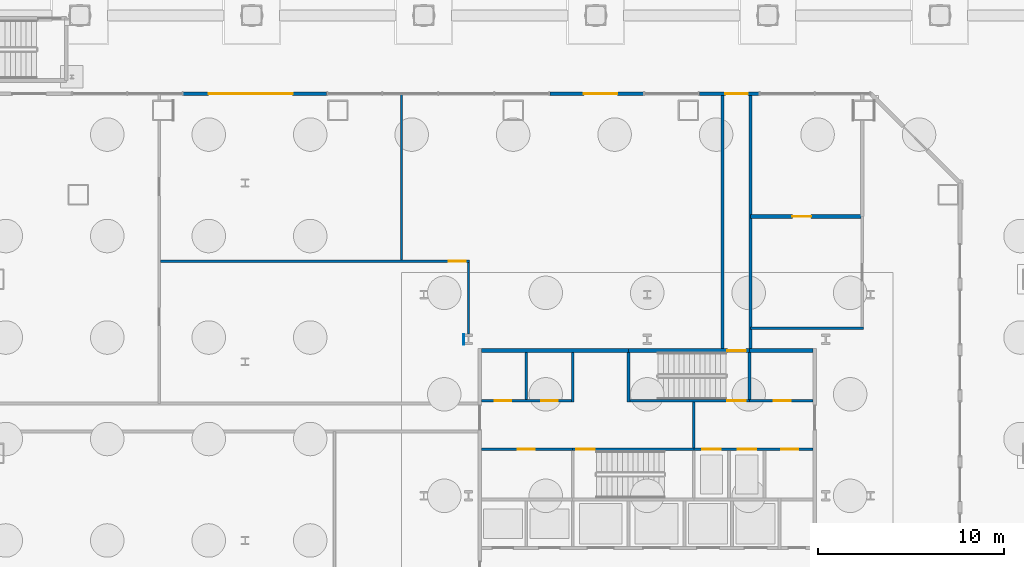
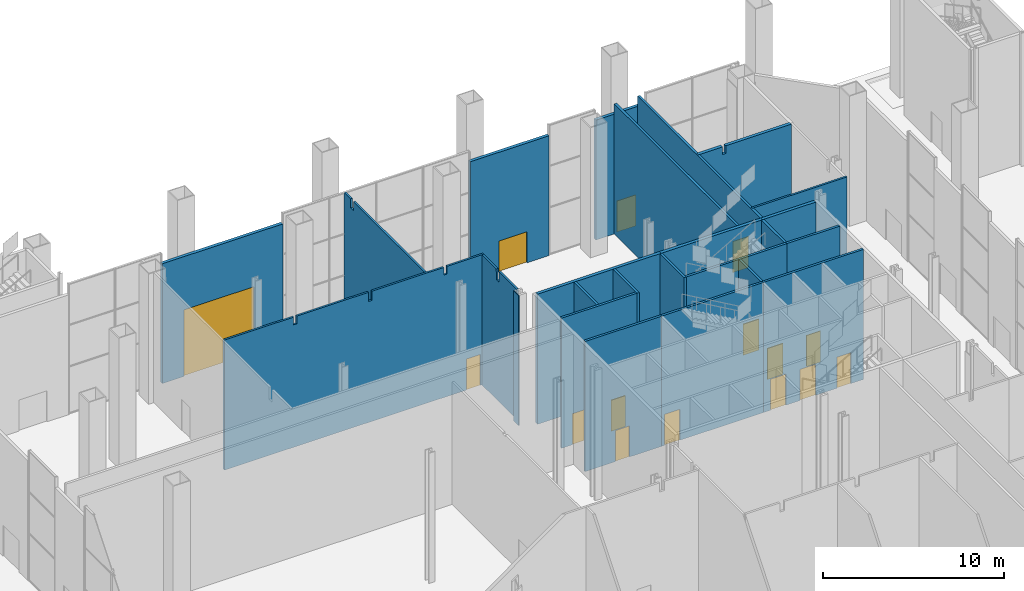
# One storey, part 26 of 38: 25 walls, 15 doors, 15 openings.
"""IFC4 building model written with IfcOpenShell, lengths in metres."""

from ifc_helpers import new_model, si_unit, direction, frame, frame_2d, origin, place, context, subcontext, project, spatial, polyline, rectangle, outline, extrude, material, layer, layer_set, type_object, element, fill, save


model = new_model("IFC4")

# Units and contexts
model_context = context("Model", 3, precision=1e-05, world=origin(), true_north=direction((0.0, 1.0)))
body_context = subcontext(model_context, "Body", "Model", "MODEL_VIEW")
ifc_project = project(units=[si_unit("LENGTHUNIT", "METRE"), si_unit("AREAUNIT", "SQUARE_METRE"), si_unit("VOLUMEUNIT", "CUBIC_METRE"), si_unit("PLANEANGLEUNIT", "RADIAN"), si_unit("MASSUNIT", "GRAM", prefix="KILO")], contexts=[model_context])

# Site, building, storey
site_placement = place(None, origin())
site = spatial("IfcSite", under=ifc_project, at=site_placement, CompositionType="ELEMENT")
building_placement = place(site_placement, origin())
building = spatial("IfcBuilding", under=site, at=building_placement, Name="Cairn Pilgrim Tower", CompositionType="ELEMENT")
storey_placement = place(building_placement, origin())
storey = spatial("IfcBuildingStorey", under=building, at=storey_placement, Name="L00", CompositionType="ELEMENT", Elevation=0.0)

# Walls
ifc_material_1 = material(Name="Concrete C32/40", Category="concrete")
ifc_layer_1 = layer(ifc_material_1, 0.199951171875)
ifc_layer_set_1 = layer_set([ifc_layer_1], Name="CORE OUTER WALL 200 EI 120")
wall_type_1 = type_object("IfcWallType", Name="CORE OUTER WALL 200 EI 120", PredefinedType="SOLIDWALL", material=ifc_layer_set_1)
wall_1_placement = place(storey_placement, frame((-1.699951171875, 10.199951171875, 0.0), z_axis=(0.0, 0.0, 1.0), x_axis=(1.0, 0.0, 0.0)))
element("IfcWall", 1, at=wall_1_placement, inside=storey, type_object=wall_type_1, Name="CW:L00:H10-1", PredefinedType="SOLIDWALL", context=body_context, shape_type="SweptSolid", body=[
    extrude(rectangle(XDim=7.89990234375, YDim=0.199951171875, at=frame_2d((3.949951171875, 0.0))), origin(), (0.0, 0.0, 1.0), 8.800048828125),
])
wall_2_placement = place(storey_placement, frame((12.699951171875, 10.199951171875, 0.0), z_axis=(0.0, 0.0, 1.0), x_axis=(1.0, 0.0, 0.0)))
element("IfcWall", 2, at=wall_2_placement, inside=storey, type_object=wall_type_1, Name="CW:L00:H10-3", PredefinedType="SOLIDWALL", context=body_context, shape_type="SweptSolid", body=[
    extrude(rectangle(XDim=3.400146484375, YDim=0.199951171875, at=frame_2d((1.7001953125, 0.0))), origin(), (0.0, 0.0, 1.0), 8.800048828125),
])
ifc_layer_2 = layer(ifc_material_1, 0.14990234375)
ifc_layer_set_2 = layer_set([ifc_layer_2], Name="CORE PARTITION 150 EI 60")
wall_type_2 = type_object("IfcWallType", Name="CORE PARTITION 150 EI 60", PredefinedType="PARTITIONING", material=ifc_layer_set_2)
wall_3_placement = place(storey_placement, frame((0.699951171875, 7.574951171875, 0.0), z_axis=(0.0, 0.0, 1.0), x_axis=(0.0, 1.0, 0.0)))
element("IfcWall", 3, at=wall_3_placement, inside=storey, type_object=wall_type_2, Name="CW:L00:V14", PredefinedType="PARTITIONING", context=body_context, shape_type="SweptSolid", body=[
    extrude(rectangle(XDim=2.525146484375, YDim=0.14990234375, at=frame_2d((1.2626953125, 0.0))), origin(), (0.0, 0.0, 1.0), 8.800048828125),
])

# Wall, opening, door
ifc_layer_3 = layer(ifc_material_1, 0.14990234375)
ifc_layer_set_3 = layer_set([ifc_layer_3], Name="CORE SHAFT WALL 150 EI 120")
wall_type_3 = type_object("IfcWallType", Name="CORE SHAFT WALL 150 EI 120", PredefinedType="SOLIDWALL", material=ifc_layer_set_3)
wall_4_placement = place(storey_placement, frame((-1.699951171875, 4.89990234375, 0.0), z_axis=(0.0, 0.0, 1.0), x_axis=(1.0, 0.0, 0.0)))
wall_4 = element("IfcWall", 4, at=wall_4_placement, inside=storey, type_object=wall_type_3, Name="CW:L00:H07-1", PredefinedType="SOLIDWALL", context=body_context, shape_type="SweptSolid", body=[
    extrude(rectangle(XDim=4.89990234375, YDim=0.14990234375, at=frame_2d((2.449951171875, 0.0))), origin(), (0.0, 0.0, 1.0), 8.800048828125),
])
opening_1_placement = place(wall_4_placement, frame((1.949951171875, 0.0, 0.0)))
opening_1 = element("IfcOpeningElement", 5, at=opening_1_placement, cuts=wall_4, Name="Opening RD-R3W1", PredefinedType="OPENING", context=body_context, shape_type="SweptSolid", body=[
    extrude(rectangle(XDim=0.89990234375, YDim=2.10009765625, at=frame_2d((0.449951171875, 1.050048828125))), frame((0.0, 0.0849609375, 0.0), z_axis=(0.0, -1.0, 0.0), x_axis=(1.0, 0.0, 0.0)), (0.0, 0.0, 1.0), 0.169921875),
])
ifc_material_2 = material(Name="Painted steel", Category="steel")
door_type_1 = type_object("IfcDoorType", Name="SERVICE ROOM DOOR 900x2100", OperationType="SINGLE_SWING_LEFT", PredefinedType="DOOR", material=ifc_material_2)
door_1_placement = place(opening_1_placement, origin())
door_1 = element("IfcDoor", 6, at=door_1_placement, inside=storey, type_object=door_type_1, Name="RD-R3W1", OperationType="SINGLE_SWING_LEFT", OverallHeight=2.10009765625, OverallWidth=0.89990234375, PredefinedType="DOOR", context=body_context, shape_type="SweptSolid", body=[
    extrude(rectangle(XDim=0.89990234375, YDim=2.10009765625, at=frame_2d((0.449951171875, 1.050048828125))), frame((0.0, 0.02490234375, 0.0), z_axis=(0.0, -1.0, 0.0), x_axis=(1.0, 0.0, 0.0)), (0.0, 0.0, 1.0), 0.050048828125),
])
fill(opening_1, door_1)

# Wall, openings, doors
wall_5_placement = place(storey_placement, frame((9.699951171875, 4.89990234375, 0.0), z_axis=(0.0, 0.0, 1.0), x_axis=(1.0, 0.0, 0.0)))
wall_5 = element("IfcWall", 7, at=wall_5_placement, inside=storey, type_object=wall_type_3, Name="CW:L00:H07-3", PredefinedType="SOLIDWALL", context=body_context, shape_type="SweptSolid", body=[
    extrude(rectangle(XDim=6.400146484375, YDim=0.14990234375, at=frame_2d((3.2001953125, 0.0))), origin(), (0.0, 0.0, 1.0), 8.800048828125),
])
opening_2_placement = place(wall_5_placement, frame((0.449951171875, 0.0, 0.0)))
opening_2 = element("IfcOpeningElement", 8, at=opening_2_placement, cuts=wall_5, Name="Opening LD-FF1", PredefinedType="OPENING", context=body_context, shape_type="SweptSolid", body=[
    extrude(rectangle(XDim=1.0, YDim=2.10009765625, at=frame_2d((0.5, 1.050048828125))), frame((0.0, 0.0849609375, 0.0), z_axis=(0.0, -1.0, 0.0), x_axis=(1.0, 0.0, 0.0)), (0.0, 0.0, 1.0), 0.169921875),
])
opening_3_placement = place(wall_5_placement, frame((2.35009765625, 0.0, 0.0)))
opening_3 = element("IfcOpeningElement", 9, at=opening_3_placement, cuts=wall_5, Name="Opening LD-FF2", PredefinedType="OPENING", context=body_context, shape_type="SweptSolid", body=[
    extrude(rectangle(XDim=1.0, YDim=2.10009765625, at=frame_2d((0.5, 1.050048828125))), frame((0.0, 0.0849609375, 0.0), z_axis=(0.0, -1.0, 0.0), x_axis=(1.0, 0.0, 0.0)), (0.0, 0.0, 1.0), 0.169921875),
])
opening_4_placement = place(wall_5_placement, frame((4.699951171875, 0.0, 0.0)))
opening_4 = element("IfcOpeningElement", 10, at=opening_4_placement, cuts=wall_5, Name="Opening RD-R3E", PredefinedType="OPENING", context=body_context, shape_type="SweptSolid", body=[
    extrude(rectangle(XDim=0.89990234375, YDim=2.10009765625, at=frame_2d((0.449951171875, 1.050048828125))), frame((0.0, 0.0849609375, 0.0), z_axis=(0.0, -1.0, 0.0), x_axis=(1.0, 0.0, 0.0)), (0.0, 0.0, 1.0), 0.169921875),
])
ifc_material_3 = material(Name="Stainless steel", Category="steel")
door_type_2 = type_object("IfcDoorType", Name="LIFT LANDING DOOR FIRE 1000x2100", OperationType="DOUBLE_DOOR_SLIDING", PredefinedType="DOOR", material=ifc_material_3)
door_2_placement = place(opening_2_placement, origin())
door_2 = element("IfcDoor", 11, at=door_2_placement, inside=storey, type_object=door_type_2, Name="LANDING DOOR FF1", OperationType="DOUBLE_DOOR_SLIDING", OverallHeight=2.10009765625, OverallWidth=1.0, PredefinedType="DOOR", context=body_context, shape_type="SweptSolid", body=[
    extrude(rectangle(XDim=1.0, YDim=2.10009765625, at=frame_2d((0.5, 1.050048828125))), frame((0.0, 0.02490234375, 0.0), z_axis=(0.0, -1.0, 0.0), x_axis=(1.0, 0.0, 0.0)), (0.0, 0.0, 1.0), 0.050048828125),
])
fill(opening_2, door_2)
door_3_placement = place(opening_3_placement, origin())
door_3 = element("IfcDoor", 12, at=door_3_placement, inside=storey, type_object=door_type_2, Name="LANDING DOOR FF2", OperationType="DOUBLE_DOOR_SLIDING", OverallHeight=2.10009765625, OverallWidth=1.0, PredefinedType="DOOR", context=body_context, shape_type="SweptSolid", body=[
    extrude(rectangle(XDim=1.0, YDim=2.10009765625, at=frame_2d((0.5, 1.050048828125))), frame((0.0, 0.02490234375, 0.0), z_axis=(0.0, -1.0, 0.0), x_axis=(1.0, 0.0, 0.0)), (0.0, 0.0, 1.0), 0.050048828125),
])
fill(opening_3, door_3)
door_4_placement = place(opening_4_placement, origin())
door_4 = element("IfcDoor", 13, at=door_4_placement, inside=storey, type_object=door_type_1, Name="RD-R3E", OperationType="SINGLE_SWING_LEFT", OverallHeight=2.10009765625, OverallWidth=0.89990234375, PredefinedType="DOOR", context=body_context, shape_type="SweptSolid", body=[
    extrude(rectangle(XDim=0.89990234375, YDim=2.10009765625, at=frame_2d((0.449951171875, 1.050048828125))), frame((0.0, 0.02490234375, 0.0), z_axis=(0.0, -1.0, 0.0), x_axis=(1.0, 0.0, 0.0)), (0.0, 0.0, 1.0), 0.050048828125),
])
fill(opening_4, door_4)

wall_6_placement = place(storey_placement, frame((-1.699951171875, 7.5, 0.0), z_axis=(0.0, 0.0, 1.0), x_axis=(1.0, 0.0, 0.0)))
wall_6 = element("IfcWall", 14, at=wall_6_placement, inside=storey, type_object=wall_type_3, Name="CW:L00:H08", PredefinedType="SOLIDWALL", context=body_context, shape_type="SweptSolid", body=[
    extrude(rectangle(XDim=4.824951171875, YDim=0.14990234375, at=frame_2d((2.41259765625, 0.0))), origin(), (0.0, 0.0, 1.0), 8.800048828125),
])
opening_5_placement = place(wall_6_placement, frame((0.699951171875, 0.0, 0.0)))
opening_5 = element("IfcOpeningElement", 15, at=opening_5_placement, cuts=wall_6, Name="Opening RD-R4W1", PredefinedType="OPENING", context=body_context, shape_type="SweptSolid", body=[
    extrude(rectangle(XDim=0.89990234375, YDim=2.10009765625, at=frame_2d((0.449951171875, 1.050048828125))), frame((0.0, 0.0849609375, 0.0), z_axis=(0.0, -1.0, 0.0), x_axis=(1.0, 0.0, 0.0)), (0.0, 0.0, 1.0), 0.169921875),
])
opening_6_placement = place(wall_6_placement, frame((3.199951171875, 0.0, 0.0)))
opening_6 = element("IfcOpeningElement", 16, at=opening_6_placement, cuts=wall_6, Name="Opening RD-R4W2", PredefinedType="OPENING", context=body_context, shape_type="SweptSolid", body=[
    extrude(rectangle(XDim=0.89990234375, YDim=2.10009765625, at=frame_2d((0.449951171875, 1.050048828125))), frame((0.0, 0.0849609375, 0.0), z_axis=(0.0, -1.0, 0.0), x_axis=(1.0, 0.0, 0.0)), (0.0, 0.0, 1.0), 0.169921875),
])
door_5_placement = place(opening_5_placement, origin())
door_5 = element("IfcDoor", 17, at=door_5_placement, inside=storey, type_object=door_type_1, Name="RD-R4W1", OperationType="SINGLE_SWING_RIGHT", OverallHeight=2.10009765625, OverallWidth=0.89990234375, PredefinedType="DOOR", context=body_context, shape_type="SweptSolid", body=[
    extrude(rectangle(XDim=0.89990234375, YDim=2.10009765625, at=frame_2d((0.449951171875, 1.050048828125))), frame((0.0, 0.02490234375, 0.0), z_axis=(0.0, -1.0, 0.0), x_axis=(1.0, 0.0, 0.0)), (0.0, 0.0, 1.0), 0.050048828125),
])
fill(opening_5, door_5)
door_6_placement = place(opening_6_placement, origin())
door_6 = element("IfcDoor", 18, at=door_6_placement, inside=storey, type_object=door_type_1, Name="RD-R4W2", OperationType="SINGLE_SWING_LEFT", OverallHeight=2.10009765625, OverallWidth=0.89990234375, PredefinedType="DOOR", context=body_context, shape_type="SweptSolid", body=[
    extrude(rectangle(XDim=0.89990234375, YDim=2.10009765625, at=frame_2d((0.449951171875, 1.050048828125))), frame((0.0, 0.02490234375, 0.0), z_axis=(0.0, -1.0, 0.0), x_axis=(1.0, 0.0, 0.0)), (0.0, 0.0, 1.0), 0.050048828125),
])
fill(opening_6, door_6)

# Wall, opening, door
wall_7_placement = place(storey_placement, frame((12.699951171875, 7.5, 0.0), z_axis=(0.0, 0.0, 1.0), x_axis=(1.0, 0.0, 0.0)))
wall_7 = element("IfcWall", 19, at=wall_7_placement, inside=storey, type_object=wall_type_3, Name="CW:L00:H09-2", PredefinedType="SOLIDWALL", context=body_context, shape_type="SweptSolid", body=[
    extrude(rectangle(XDim=3.400146484375, YDim=0.14990234375, at=frame_2d((1.7001953125, 0.0))), origin(), (0.0, 0.0, 1.0), 8.800048828125),
])
opening_7_placement = place(wall_7_placement, frame((1.300048828125, 0.0, 0.0)))
opening_7 = element("IfcOpeningElement", 20, at=opening_7_placement, cuts=wall_7, Name="Opening RD-R4E", PredefinedType="OPENING", context=body_context, shape_type="SweptSolid", body=[
    extrude(rectangle(XDim=0.89990234375, YDim=2.10009765625, at=frame_2d((0.449951171875, 1.050048828125))), frame((0.0, 0.0849609375, 0.0), z_axis=(0.0, -1.0, 0.0), x_axis=(1.0, 0.0, 0.0)), (0.0, 0.0, 1.0), 0.169921875),
])
door_7_placement = place(opening_7_placement, origin())
door_7 = element("IfcDoor", 21, at=door_7_placement, inside=storey, type_object=door_type_1, Name="RD-R4E", OperationType="SINGLE_SWING_RIGHT", OverallHeight=2.10009765625, OverallWidth=0.89990234375, PredefinedType="DOOR", context=body_context, shape_type="SweptSolid", body=[
    extrude(rectangle(XDim=0.89990234375, YDim=2.10009765625, at=frame_2d((0.449951171875, 1.050048828125))), frame((0.0, 0.02490234375, 0.0), z_axis=(0.0, -1.0, 0.0), x_axis=(1.0, 0.0, 0.0)), (0.0, 0.0, 1.0), 0.050048828125),
])
fill(opening_7, door_7)

# Walls
wall_8_placement = place(storey_placement, frame((3.199951171875, 7.425048828125, 0.0), z_axis=(0.0, 0.0, 1.0), x_axis=(0.0, 1.0, 0.0)))
element("IfcWall", 22, at=wall_8_placement, inside=storey, type_object=wall_type_3, Name="CW:L00:V18", PredefinedType="SOLIDWALL", context=body_context, shape_type="SweptSolid", body=[
    extrude(rectangle(XDim=2.675048828125, YDim=0.14990234375, at=frame_2d((1.33740234375, 0.0))), origin(), (0.0, 0.0, 1.0), 8.800048828125),
])
wall_9_placement = place(storey_placement, frame((9.699951171875, 4.97509765625, 0.0), z_axis=(0.0, 0.0, 1.0), x_axis=(0.0, 1.0, 0.0)))
element("IfcWall", 23, at=wall_9_placement, inside=storey, type_object=wall_type_3, Name="CW:L00:V24", PredefinedType="SOLIDWALL", context=body_context, shape_type="SweptSolid", body=[
    extrude(rectangle(XDim=2.449951171875, YDim=0.14990234375, at=frame_2d((1.22509765625, 0.0))), origin(), (0.0, 0.0, 1.0), 8.800048828125),
])
for number, where, z_axis, x_axis, name in (
    (24, (11.25, 10.300048828125, 0.0), (0.0, 0.0, 1.0), (0.0, 1.0, 0.0), "CW:L00:XPC1"),
    (25, (12.75, 10.300048828125, 0.0), (0.0, 0.0, 1.0), (0.0, 1.0, 0.0), "CW:L00:XPC2"),
):
    element("IfcWall", number, at=place(storey_placement, frame(where, z_axis=z_axis, x_axis=x_axis)), inside=storey, type_object=wall_type_3, Name=name, PredefinedType="SOLIDWALL", context=body_context, shape_type="SweptSolid", body=[
        extrude(rectangle(XDim=13.599853515625, YDim=0.14990234375, at=frame_2d((6.7998046875, 0.0))), origin(), (0.0, 0.0, 1.0), 8.800048828125),
    ])

# Wall, opening, door
ifc_material_4 = material(Name="Concrete C35/45 backup wall with bronze aluminium cladding", Category="concrete")
ifc_layer_4 = layer(ifc_material_4, 0.199951171875)
ifc_layer_set_4 = layer_set([ifc_layer_4], Name="ENTRANCE PORTAL WALL 200 BRONZE-CLAD")
wall_type_4 = type_object("IfcWallType", Name="ENTRANCE PORTAL WALL 200 BRONZE-CLAD", PredefinedType="SOLIDWALL", material=ifc_layer_set_4)
wall_10_placement = place(storey_placement, frame((10.0, 24.0, 0.0), z_axis=(0.0, 0.0, 1.0), x_axis=(1.0, 0.0, 0.0)))
wall_10 = element("IfcWall", 26, at=wall_10_placement, inside=storey, type_object=wall_type_4, Name="ENTRANCE PORTAL 4.2", PredefinedType="SOLIDWALL", context=body_context, shape_type="SweptSolid", body=[
    extrude(rectangle(XDim=3.199951171875, YDim=0.199951171875, at=frame_2d((1.60009765625, 0.0))), origin(), (0.0, 0.0, 1.0), 8.10009765625),
])
opening_8_placement = place(wall_10_placement, frame((1.39990234375, 0.0, 0.0)))
opening_8 = element("IfcOpeningElement", 27, at=opening_8_placement, cuts=wall_10, Name="Opening X42", PredefinedType="OPENING", context=body_context, shape_type="SweptSolid", body=[
    extrude(rectangle(XDim=1.199951171875, YDim=2.10009765625, at=frame_2d((0.60009765625, 1.050048828125))), frame((0.0, 0.10986328125, 0.0), z_axis=(0.0, -1.0, 0.0), x_axis=(1.0, 0.0, 0.0)), (0.0, 0.0, 1.0), 0.219970703125),
])
door_type_3 = type_object("IfcDoorType", Name="PAVILION EXIT DOOR 1200x2100 FD60S", OperationType="SINGLE_SWING_LEFT", PredefinedType="DOOR", material=ifc_material_2)
door_8_placement = place(opening_8_placement, origin())
door_8 = element("IfcDoor", 28, at=door_8_placement, inside=storey, type_object=door_type_3, Name="PAVILION EXIT DOOR", OperationType="SINGLE_SWING_LEFT", OverallHeight=2.10009765625, OverallWidth=1.199951171875, PredefinedType="DOOR", context=body_context, shape_type="SweptSolid", body=[
    extrude(rectangle(XDim=1.199951171875, YDim=2.10009765625, at=frame_2d((0.60009765625, 1.050048828125))), frame((0.0, 0.02490234375, 0.0), z_axis=(0.0, -1.0, 0.0), x_axis=(1.0, 0.0, 0.0)), (0.0, 0.0, 1.0), 0.050048828125),
])
fill(opening_8, door_8)

wall_11_placement = place(storey_placement, frame((1.97509765625, 24.0, 0.0), z_axis=(0.0, 0.0, 1.0), x_axis=(1.0, 0.0, 0.0)))
wall_11 = element("IfcWall", 29, at=wall_11_placement, inside=storey, type_object=wall_type_4, Name="ENTRANCE PORTAL 4.4", PredefinedType="SOLIDWALL", context=body_context, shape_type="SweptSolid", body=[
    extrude(rectangle(XDim=5.02490234375, YDim=0.199951171875, at=frame_2d((2.512451171875, 0.0))), origin(), (0.0, 0.0, 1.0), 8.10009765625),
])
opening_9_placement = place(wall_11_placement, frame((1.824951171875, 0.0, 0.0)))
opening_9 = element("IfcOpeningElement", 30, at=opening_9_placement, cuts=wall_11, Name="Opening X44", PredefinedType="OPENING", context=body_context, shape_type="SweptSolid", body=[
    extrude(rectangle(XDim=1.800048828125, YDim=2.10009765625, at=frame_2d((0.89990234375, 1.050048828125))), frame((0.0, 0.10986328125, 0.0), z_axis=(0.0, -1.0, 0.0), x_axis=(1.0, 0.0, 0.0)), (0.0, 0.0, 1.0), 0.219970703125),
])
ifc_material_5 = material(Name="Bronze anodised aluminium frame with tinted toughened glass", Category="aluminium")
door_type_4 = type_object("IfcDoorType", Name="PAVILION EXIT DOOR PAIR 1800x2100", OperationType="DOUBLE_DOOR_SINGLE_SWING", PredefinedType="DOOR", material=ifc_material_5)
door_9_placement = place(opening_9_placement, origin())
door_9 = element("IfcDoor", 31, at=door_9_placement, inside=storey, type_object=door_type_4, Name="PAVILION EXIT DOOR", OperationType="SINGLE_SWING_LEFT", OverallHeight=2.10009765625, OverallWidth=1.800048828125, PredefinedType="DOOR", context=body_context, shape_type="SweptSolid", body=[
    extrude(rectangle(XDim=1.800048828125, YDim=2.10009765625, at=frame_2d((0.89990234375, 1.050048828125))), frame((0.0, 0.02490234375, 0.0), z_axis=(0.0, -1.0, 0.0), x_axis=(1.0, 0.0, 0.0)), (0.0, 0.0, 1.0), 0.050048828125),
])
fill(opening_9, door_9)

wall_12_placement = place(storey_placement, frame((-17.72509765625, 24.0, 0.0), z_axis=(0.0, 0.0, 1.0), x_axis=(1.0, 0.0, 0.0)))
wall_12 = element("IfcWall", 32, at=wall_12_placement, inside=storey, type_object=wall_type_4, Name="ENTRANCE PORTAL 4.6", PredefinedType="SOLIDWALL", context=body_context, shape_type="SweptSolid", body=[
    extrude(rectangle(XDim=7.7001953125, YDim=0.199951171875, at=frame_2d((3.85009765625, 0.0))), origin(), (0.0, 0.0, 1.0), 8.10009765625),
])
opening_10_placement = place(wall_12_placement, frame((1.375, 0.0, 0.0)))
opening_10 = element("IfcOpeningElement", 33, at=opening_10_placement, cuts=wall_12, Name="Opening RS1", PredefinedType="OPENING", context=body_context, shape_type="SweptSolid", body=[
    extrude(rectangle(XDim=4.5, YDim=4.5, at=frame_2d((2.25, 2.25))), frame((0.0, 0.10986328125, 0.0), z_axis=(0.0, -1.0, 0.0), x_axis=(1.0, 0.0, 0.0)), (0.0, 0.0, 1.0), 0.219970703125),
])
ifc_material_6 = material(Name="Galvanised steel slats", Category="steel")
door_type_5 = type_object("IfcDoorType", Name="ROLLER SHUTTER LOADING BAY 4500x4500", OperationType="ROLLINGUP", PredefinedType="DOOR", material=ifc_material_6)
door_10_placement = place(opening_10_placement, origin())
door_10 = element("IfcDoor", 34, at=door_10_placement, inside=storey, type_object=door_type_5, Name="ROLLER SHUTTER LOADING BAY", OperationType="SINGLE_SWING_LEFT", OverallHeight=4.5, OverallWidth=4.5, PredefinedType="DOOR", context=body_context, shape_type="SweptSolid", body=[
    extrude(rectangle(XDim=4.5, YDim=4.5, at=frame_2d((2.25, 2.25))), frame((0.0, 0.02490234375, 0.0), z_axis=(0.0, -1.0, 0.0), x_axis=(1.0, 0.0, 0.0)), (0.0, 0.0, 1.0), 0.050048828125),
])
fill(opening_10, door_10)

# Walls
ifc_material_7 = material(Name="Gypsum partition")
ifc_layer_5 = layer(ifc_material_7, 0.125)
ifc_layer_set_5 = layer_set([ifc_layer_5], Name="PARTITION 125 DRYWALL EI 60")
wall_type_5 = type_object("IfcWallType", Name="PARTITION 125 DRYWALL EI 60", PredefinedType="PARTITIONING", material=ifc_layer_set_5)
wall_13_placement = place(storey_placement, frame((-2.39990234375, 11.08447265625, 0.0), z_axis=(0.0, 0.0, 1.0), x_axis=(0.0, 1.0, 0.0)))
element("IfcWall", 35, at=wall_13_placement, inside=storey, type_object=wall_type_5, Name="PARTITION W019", PredefinedType="PARTITIONING", context=body_context, shape_type="SweptSolid", body=[
    extrude(outline(polyline([(0.0, 0.0), (3.85302734375, 0.0), (3.85302734375, 8.800048828125), (2.265380859375, 8.800048828125), (2.263427734375, 8.080078125), (1.965576171875, 8.080078125), (1.96337890625, 8.800048828125), (0.0, 8.800048828125), (0.0, 0.0)])), frame((0.0, 0.0625, 0.0), z_axis=(0.0, -1.0, 0.0), x_axis=(1.0, 0.0, 0.0)), (0.0, 0.0, 1.0), 0.125),
])
wall_14_placement = place(storey_placement, frame((12.75, 11.39990234375, 0.0), z_axis=(0.0, 0.0, 1.0), x_axis=(1.0, 0.0, 0.0)))
element("IfcWall", 36, at=wall_14_placement, inside=storey, type_object=wall_type_5, Name="PARTITION W020", PredefinedType="PARTITIONING", context=body_context, shape_type="SweptSolid", body=[
    extrude(rectangle(XDim=6.0625, YDim=0.125, at=frame_2d((3.03125, 0.0))), origin(), (0.0, 0.0, 1.0), 8.800048828125),
])

# Wall, opening, door
wall_15_placement = place(storey_placement, frame((-18.9375, 15.0, 0.0), z_axis=(0.0, 0.0, 1.0), x_axis=(1.0, 0.0, 0.0)))
wall_15 = element("IfcWall", 37, at=wall_15_placement, inside=storey, type_object=wall_type_5, Name="PARTITION W022", PredefinedType="PARTITIONING", context=body_context, shape_type="SweptSolid", body=[
    extrude(outline(polyline([(0.0, 0.0), (16.60009765625, 0.0), (16.60009765625, 8.800048828125), (14.237548828125, 8.800048828125), (14.235595703125, 8.280029296875), (14.03759765625, 8.280029296875), (14.035400390625, 8.800048828125), (9.447509765625, 8.800048828125), (9.445556640625, 8.179931640625), (9.2275390625, 8.179931640625), (9.2255859375, 8.800048828125), (4.637451171875, 8.800048828125), (4.635498046875, 8.280029296875), (4.4375, 8.280029296875), (4.435546875, 8.800048828125), (0.0, 8.800048828125), (0.0, 0.0)])), frame((0.0, 0.0625, 0.0), z_axis=(0.0, -1.0, 0.0), x_axis=(1.0, 0.0, 0.0)), (0.0, 0.0, 1.0), 0.125),
])
opening_11_placement = place(wall_15_placement, frame((15.487548828125, 0.0, 0.0)))
opening_11 = element("IfcOpeningElement", 38, at=opening_11_placement, cuts=wall_15, Name="Opening 0016", PredefinedType="OPENING", context=body_context, shape_type="SweptSolid", body=[
    extrude(rectangle(XDim=0.89990234375, YDim=2.10009765625, at=frame_2d((0.449951171875, 1.050048828125))), frame((0.0, 0.072509765625, 0.0), z_axis=(0.0, -1.0, 0.0), x_axis=(1.0, 0.0, 0.0)), (0.0, 0.0, 1.0), 0.14501953125),
])
ifc_material_8 = material(Name="Timber door leaf", Category="wood")
door_type_6 = type_object("IfcDoorType", Name="ROOM DOOR 900x2100 FD30S", OperationType="NOTDEFINED", PredefinedType="DOOR", material=ifc_material_8)
door_11_placement = place(opening_11_placement, frame((0.89990234375, 0.0, 0.0), z_axis=(0.0, 0.0, 1.0), x_axis=(-1.0, 0.0, 0.0)))
door_11 = element("IfcDoor", 39, at=door_11_placement, inside=storey, type_object=door_type_6, Name="DOOR 0016", OperationType="SINGLE_SWING_RIGHT", OverallHeight=2.10009765625, OverallWidth=0.89990234375, PredefinedType="DOOR", context=body_context, shape_type="SweptSolid", body=[
    extrude(rectangle(XDim=0.89990234375, YDim=2.10009765625, at=frame_2d((0.449951171875, 1.050048828125))), frame((0.0, 0.02490234375, 0.0), z_axis=(0.0, -1.0, 0.0), x_axis=(1.0, 0.0, 0.0)), (0.0, 0.0, 1.0), 0.050048828125),
])
fill(opening_11, door_11)

# Walls
wall_16_placement = place(storey_placement, frame((-6.0, 15.0625, 0.0), z_axis=(0.0, 0.0, 1.0), x_axis=(0.0, 1.0, 0.0)))
element("IfcWall", 40, at=wall_16_placement, inside=storey, type_object=wall_type_5, Name="PARTITION W023", PredefinedType="PARTITIONING", context=body_context, shape_type="SweptSolid", body=[
    extrude(outline(polyline([(0.0, 0.0), (8.8935546875, 0.0), (8.8935546875, 8.800048828125), (8.1875, 8.800048828125), (8.185546875, 8.179931640625), (7.887451171875, 8.179931640625), (7.885498046875, 8.800048828125), (0.0, 8.800048828125), (0.0, 0.0)])), frame((0.0, 0.0625, 0.0), z_axis=(0.0, -1.0, 0.0), x_axis=(1.0, 0.0, 0.0)), (0.0, 0.0, 1.0), 0.125),
])
ifc_layer_6 = layer(ifc_material_7, 0.050048828125)
ifc_layer_set_6 = layer_set([ifc_layer_6], Name="PARTITION 50 DRYWALL EI 60")
wall_type_6 = type_object("IfcWallType", Name="PARTITION 50 DRYWALL EI 60", PredefinedType="PARTITIONING", material=ifc_layer_set_6)
wall_17_placement = place(storey_placement, frame((-2.652099609375, 10.515380859375, 0.0), z_axis=(0.0, 0.0, 1.0), x_axis=(0.0, 1.0, 0.0)))
element("IfcWall", 41, at=wall_17_placement, inside=storey, type_object=wall_type_6, Name="COLUMN CASING WC05", PredefinedType="PARTITIONING", context=body_context, shape_type="SweptSolid", body=[
    extrude(rectangle(XDim=0.569091796875, YDim=0.050048828125, at=frame_2d((0.28466796875, 0.0))), origin(), (0.0, 0.0, 1.0), 8.800048828125),
])

# Wall, opening, door
ifc_layer_7 = layer(ifc_material_7, 0.199951171875)
ifc_layer_set_7 = layer_set([ifc_layer_7], Name="SHAFT WALL 200 GYPSUM EI 120")
wall_type_7 = type_object("IfcWallType", Name="SHAFT WALL 200 GYPSUM EI 120", PredefinedType="PARTITIONING", material=ifc_layer_set_7)
wall_18_placement = place(storey_placement, frame((12.75, 17.39990234375, 0.0), z_axis=(0.0, 0.0, 1.0), x_axis=(1.0, 0.0, 0.0)))
wall_18 = element("IfcWall", 42, at=wall_18_placement, inside=storey, type_object=wall_type_7, Name="PARTITION W024", PredefinedType="PARTITIONING", context=body_context, shape_type="SweptSolid", body=[
    extrude(outline(polyline([(0.0, 0.0), (5.9375, 0.0), (5.9375, 8.800048828125), (1.75, 8.800048828125), (1.748046875, 8.280029296875), (1.550048828125, 8.280029296875), (1.548095703125, 8.800048828125), (0.0, 8.800048828125), (0.0, 0.0)])), frame((0.0, 0.10009765625, 0.0), z_axis=(0.0, -1.0, 0.0), x_axis=(1.0, 0.0, 0.0)), (0.0, 0.0, 1.0), 0.199951171875),
])
opening_12_placement = place(wall_18_placement, frame((2.25, 0.0, 0.0)))
opening_12 = element("IfcOpeningElement", 43, at=opening_12_placement, cuts=wall_18, Name="Opening 0001", PredefinedType="OPENING", context=body_context, shape_type="SweptSolid", body=[
    extrude(rectangle(XDim=1.0, YDim=2.10009765625, at=frame_2d((0.5, 1.050048828125))), frame((0.0, 0.10986328125, 0.0), z_axis=(0.0, -1.0, 0.0), x_axis=(1.0, 0.0, 0.0)), (0.0, 0.0, 1.0), 0.219970703125),
])
ifc_material_9 = material(Name="Steel-faced fire door leaf", Category="steel")
door_type_7 = type_object("IfcDoorType", Name="FIRE DOOR 1000x2100 FD60S", OperationType="NOTDEFINED", PredefinedType="DOOR", material=ifc_material_9)
door_12_placement = place(opening_12_placement, frame((1.0, 0.0, 0.0), z_axis=(0.0, 0.0, 1.0), x_axis=(-1.0, 0.0, 0.0)))
door_12 = element("IfcDoor", 44, at=door_12_placement, inside=storey, type_object=door_type_7, Name="DOOR 0001", OperationType="SINGLE_SWING_LEFT", OverallHeight=2.10009765625, OverallWidth=1.0, PredefinedType="DOOR", context=body_context, shape_type="SweptSolid", body=[
    extrude(rectangle(XDim=1.0, YDim=2.10009765625, at=frame_2d((0.5, 1.050048828125))), frame((0.0, 0.02490234375, 0.0), z_axis=(0.0, -1.0, 0.0), x_axis=(1.0, 0.0, 0.0)), (0.0, 0.0, 1.0), 0.050048828125),
])
fill(opening_12, door_12)

ifc_material_10 = material(Name="Concrete C35/45", Category="concrete")
ifc_layer_8 = layer(ifc_material_10, 0.14990234375)
ifc_layer_set_8 = layer_set([ifc_layer_8], Name="STAIR SHAFT WALL 150 EI 120")
wall_type_8 = type_object("IfcWallType", Name="STAIR SHAFT WALL 150 EI 120", PredefinedType="SOLIDWALL", material=ifc_layer_set_8)
wall_19_placement = place(storey_placement, frame((3.199951171875, 4.89990234375, 0.0), z_axis=(0.0, 0.0, 1.0), x_axis=(1.0, 0.0, 0.0)))
wall_19 = element("IfcWall", 45, at=wall_19_placement, inside=storey, type_object=wall_type_8, Name="CW:L00:H07-2", PredefinedType="SOLIDWALL", context=body_context, shape_type="SweptSolid", body=[
    extrude(rectangle(XDim=6.5, YDim=0.14990234375, at=frame_2d((3.25, 0.0))), origin(), (0.0, 0.0, 1.0), 8.800048828125),
])
opening_13_placement = place(wall_19_placement, frame((0.175048828125, 0.0, 0.0)))
opening_13 = element("IfcOpeningElement", 46, at=opening_13_placement, cuts=wall_19, Name="Opening SD-B", PredefinedType="OPENING", context=body_context, shape_type="SweptSolid", body=[
    extrude(rectangle(XDim=1.0, YDim=2.10009765625, at=frame_2d((0.5, 1.050048828125))), frame((0.0, 0.0849609375, 0.0), z_axis=(0.0, -1.0, 0.0), x_axis=(1.0, 0.0, 0.0)), (0.0, 0.0, 1.0), 0.169921875),
])
door_type_8 = type_object("IfcDoorType", Name="STAIR DOOR FD60S 1000x2100", OperationType="SINGLE_SWING_LEFT", PredefinedType="DOOR", material=ifc_material_2)
door_13_placement = place(opening_13_placement, origin())
door_13 = element("IfcDoor", 47, at=door_13_placement, inside=storey, type_object=door_type_8, Name="SD-B", OperationType="SINGLE_SWING_RIGHT", OverallHeight=2.10009765625, OverallWidth=1.0, PredefinedType="DOOR", context=body_context, shape_type="SweptSolid", body=[
    extrude(rectangle(XDim=1.0, YDim=2.10009765625, at=frame_2d((0.5, 1.050048828125))), frame((0.0, 0.02490234375, 0.0), z_axis=(0.0, -1.0, 0.0), x_axis=(1.0, 0.0, 0.0)), (0.0, 0.0, 1.0), 0.050048828125),
])
fill(opening_13, door_13)

wall_20_placement = place(storey_placement, frame((6.27490234375, 7.5, 0.0), z_axis=(0.0, 0.0, 1.0), x_axis=(1.0, 0.0, 0.0)))
wall_20 = element("IfcWall", 48, at=wall_20_placement, inside=storey, type_object=wall_type_8, Name="CW:L00:H09-1", PredefinedType="SOLIDWALL", context=body_context, shape_type="SweptSolid", body=[
    extrude(rectangle(XDim=6.425048828125, YDim=0.14990234375, at=frame_2d((3.21240234375, 0.0))), origin(), (0.0, 0.0, 1.0), 8.800048828125),
])
opening_14_placement = place(wall_20_placement, frame((5.22509765625, 0.0, 0.0)))
opening_14 = element("IfcOpeningElement", 49, at=opening_14_placement, cuts=wall_20, Name="Opening SD-C", PredefinedType="OPENING", context=body_context, shape_type="SweptSolid", body=[
    extrude(rectangle(XDim=1.0, YDim=2.10009765625, at=frame_2d((0.5, 1.050048828125))), frame((0.0, 0.0849609375, 0.0), z_axis=(0.0, -1.0, 0.0), x_axis=(1.0, 0.0, 0.0)), (0.0, 0.0, 1.0), 0.169921875),
])
door_14_placement = place(opening_14_placement, origin())
door_14 = element("IfcDoor", 50, at=door_14_placement, inside=storey, type_object=door_type_8, Name="SD-C", OperationType="SINGLE_SWING_LEFT", OverallHeight=2.10009765625, OverallWidth=1.0, PredefinedType="DOOR", context=body_context, shape_type="SweptSolid", body=[
    extrude(rectangle(XDim=1.0, YDim=2.10009765625, at=frame_2d((0.5, 1.050048828125))), frame((0.0, 0.02490234375, 0.0), z_axis=(0.0, -1.0, 0.0), x_axis=(1.0, 0.0, 0.0)), (0.0, 0.0, 1.0), 0.050048828125),
])
fill(opening_14, door_14)

# Walls
wall_21_placement = place(storey_placement, frame((6.199951171875, 7.425048828125, 0.0), z_axis=(0.0, 0.0, 1.0), x_axis=(0.0, 1.0, 0.0)))
element("IfcWall", 51, at=wall_21_placement, inside=storey, type_object=wall_type_8, Name="CW:L00:V21", PredefinedType="SOLIDWALL", context=body_context, shape_type="SweptSolid", body=[
    extrude(rectangle(XDim=2.675048828125, YDim=0.14990234375, at=frame_2d((1.33740234375, 0.0))), origin(), (0.0, 0.0, 1.0), 8.800048828125),
])
wall_22_placement = place(storey_placement, frame((12.699951171875, 7.574951171875, 0.0), z_axis=(0.0, 0.0, 1.0), x_axis=(0.0, 1.0, 0.0)))
element("IfcWall", 52, at=wall_22_placement, inside=storey, type_object=wall_type_8, Name="CW:L00:V28", PredefinedType="SOLIDWALL", context=body_context, shape_type="SweptSolid", body=[
    extrude(rectangle(XDim=2.525146484375, YDim=0.14990234375, at=frame_2d((1.2626953125, 0.0))), origin(), (0.0, 0.0, 1.0), 8.800048828125),
])

# Wall, opening, door
ifc_layer_9 = layer(ifc_material_10, 0.199951171875)
ifc_layer_set_9 = layer_set([ifc_layer_9], Name="STAIR SHAFT WALL 200 EI 120")
wall_type_9 = type_object("IfcWallType", Name="STAIR SHAFT WALL 200 EI 120", PredefinedType="SOLIDWALL", material=ifc_layer_set_9)
wall_23_placement = place(storey_placement, frame((6.199951171875, 10.199951171875, 0.0), z_axis=(0.0, 0.0, 1.0), x_axis=(1.0, 0.0, 0.0)))
wall_23 = element("IfcWall", 53, at=wall_23_placement, inside=storey, type_object=wall_type_9, Name="CW:L00:H10-2", PredefinedType="SOLIDWALL", context=body_context, shape_type="SweptSolid", body=[
    extrude(rectangle(XDim=6.5, YDim=0.199951171875, at=frame_2d((3.25, 0.0))), origin(), (0.0, 0.0, 1.0), 8.800048828125),
])
opening_15_placement = place(wall_23_placement, frame((5.300048828125, 0.0, 0.0)))
opening_15 = element("IfcOpeningElement", 54, at=opening_15_placement, cuts=wall_23, Name="Opening XD-C", PredefinedType="OPENING", context=body_context, shape_type="SweptSolid", body=[
    extrude(rectangle(XDim=1.0, YDim=2.10009765625, at=frame_2d((0.5, 1.050048828125))), frame((0.0, 0.10986328125, 0.0), z_axis=(0.0, -1.0, 0.0), x_axis=(1.0, 0.0, 0.0)), (0.0, 0.0, 1.0), 0.219970703125),
])
door_15_placement = place(opening_15_placement, origin())
door_15 = element("IfcDoor", 55, at=door_15_placement, inside=storey, type_object=door_type_8, Name="XD-C", OperationType="SINGLE_SWING_LEFT", OverallHeight=2.10009765625, OverallWidth=1.0, PredefinedType="DOOR", context=body_context, shape_type="SweptSolid", body=[
    extrude(rectangle(XDim=1.0, YDim=2.10009765625, at=frame_2d((0.5, 1.050048828125))), frame((0.0, 0.02490234375, 0.0), z_axis=(0.0, -1.0, 0.0), x_axis=(1.0, 0.0, 0.0)), (0.0, 0.0, 1.0), 0.050048828125),
])
fill(opening_15, door_15)

save(model, "model.ifc")
